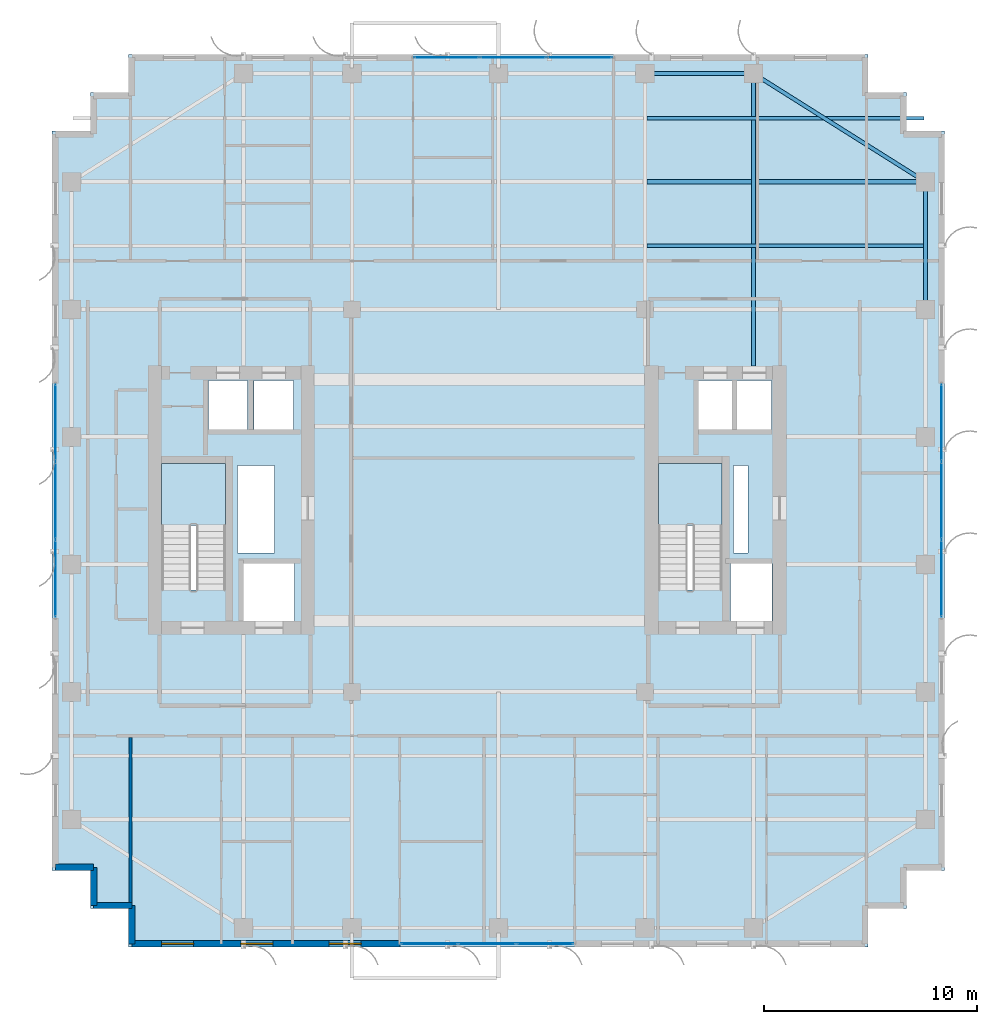
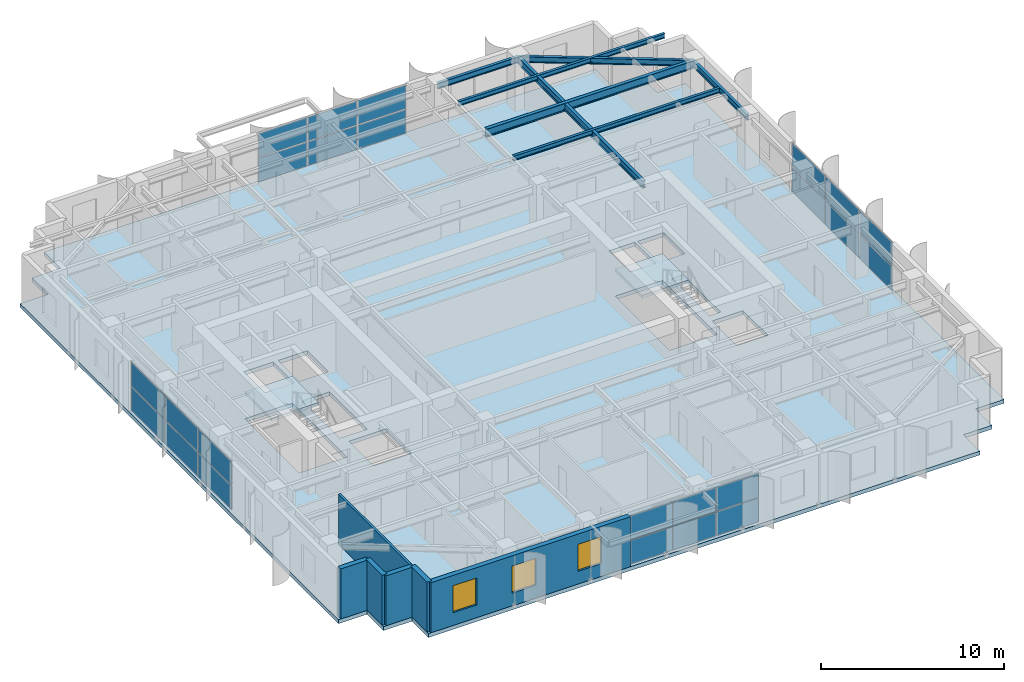
# One storey, part 13 of 21: 24 plates, 7 beams, 6 walls, 3 slabs, 3 windows, 3 openings, 6 elements without a shape of their own.
"""IFC4 building model written with IfcOpenShell, lengths in metres."""

import ifcopenshell
import ifcopenshell.guid

model = None  # the IFC model being written
_history = None  # IfcOwnerHistory: only IFC2X3 demands one
_inside = {}  # id of a spatial element -> (the spatial element, [elements in it])
_under = {}  # id of a project, library or spatial element -> (it, [spatial elements below it])
_declared = {}  # id of a project -> (the project, [libraries it declares])
_typed = {}  # id of a type object -> (the type object, [elements of that type])
_made_of = {}  # id of a material, layer set ... -> (it, [elements and type objects made of it])


def new_model(schema):
    """Start an empty IFC model of exactly this schema.

    Asked for "IFC4X3", IfcOpenShell would pick the latest addendum, in which some entities
    have other attributes; the version numbers below select the first issue.
    IFC2X3 requires an IfcOwnerHistory on every rooted entity: one is made here for all.
    """
    global model, _history
    if schema == "IFC4X3":
        model = ifcopenshell.file(schema_version=(4, 3, 0, 0))
    else:
        model = ifcopenshell.file(schema=schema)
    _inside.clear()
    _under.clear()
    _declared.clear()
    _typed.clear()
    _made_of.clear()
    _history = None
    if model.schema == "IFC2X3":
        org = make("IfcOrganization", Name="unknown")
        user = make(
            "IfcPersonAndOrganization",
            ThePerson=make("IfcPerson", FamilyName="unknown"),
            TheOrganization=org,
        )
        app = make(
            "IfcApplication",
            ApplicationDeveloper=org,
            Version="unknown",
            ApplicationFullName="unknown",
            ApplicationIdentifier="unknown",
        )
        _history = make(
            "IfcOwnerHistory",
            OwningUser=user,
            OwningApplication=app,
            ChangeAction="ADDED",
            CreationDate=0,
        )
    return model


def make(cls, **values):
    """One entity of the class cls with the attributes given. An attribute that is None is left unset."""
    return model.create_entity(
        cls, **{name: value for name, value in values.items() if value is not None}
    )


def rooted(cls, **values):
    """An entity with a GlobalId (a new one), such as an element, a storey or a relation."""
    return make(cls, GlobalId=ifcopenshell.guid.new(), OwnerHistory=_history, **values)


def si_unit(unit_type, name, prefix=None):
    """IfcSIUnit, for example si_unit("LENGTHUNIT", "METRE", prefix="MILLI")."""
    return make("IfcSIUnit", UnitType=unit_type, Prefix=prefix, Name=name)


def assignment(units):
    """IfcUnitAssignment: the units of a project."""
    return None if units is None else make("IfcUnitAssignment", Units=units)


def point(xyz):
    """IfcCartesianPoint."""
    return None if xyz is None else make("IfcCartesianPoint", Coordinates=xyz)


def direction(xyz):
    """IfcDirection."""
    return None if xyz is None else make("IfcDirection", DirectionRatios=xyz)


def frame(location, z_axis=None, x_axis=None):
    """IfcAxis2Placement3D, a coordinate frame: its origin and axes. An axis left out is left unset."""
    return make(
        "IfcAxis2Placement3D",
        Location=point(location),
        Axis=direction(z_axis),
        RefDirection=direction(x_axis),
    )


def frame_2d(location, x_axis=None):
    """IfcAxis2Placement2D, a coordinate frame in the plane: its origin and x axis."""
    return make(
        "IfcAxis2Placement2D", Location=point(location), RefDirection=direction(x_axis)
    )


def origin():
    """The frame at (0, 0, 0) with its axes left unset."""
    return frame((0.0, 0.0, 0.0))


def origin_2d():
    """The frame at (0, 0) in the plane with its x axis left unset."""
    return frame_2d((0.0, 0.0))


def place(relative_to, where):
    """IfcLocalPlacement: puts the frame where relative to a parent placement (None: the world)."""
    return make(
        "IfcLocalPlacement", PlacementRelTo=relative_to, RelativePlacement=where
    )


def context(
    kind, dimensions, precision=None, world=None, true_north=None, identifier=None
):
    """IfcGeometricRepresentationContext, for example the 3D "Model" context."""
    return make(
        "IfcGeometricRepresentationContext",
        ContextIdentifier=identifier,
        ContextType=kind,
        CoordinateSpaceDimension=dimensions,
        Precision=precision,
        WorldCoordinateSystem=world,
        TrueNorth=true_north,
    )


def subcontext(parent, identifier, kind, view, scale=None):
    """IfcGeometricRepresentationSubContext, for example "Body" below "Model"."""
    return make(
        "IfcGeometricRepresentationSubContext",
        ContextIdentifier=identifier,
        ContextType=kind,
        ParentContext=parent,
        TargetScale=scale,
        TargetView=view,
    )


def project(units=None, contexts=None):
    """IfcProject with its units and contexts."""
    return rooted(
        "IfcProject",
        Name="project",
        RepresentationContexts=contexts,
        UnitsInContext=assignment(units),
    )


def spatial(cls, under=None, at=None, **own):
    """A site, building, storey or space (cls), placed at a placement, below another one or the project."""
    s = rooted(cls, ObjectPlacement=at, **own)
    if under is not None:
        _under.setdefault(under.id(), (under, []))[1].append(s)
    return s


def polyline(points):
    """IfcPolyline through the points."""
    return make("IfcPolyline", Points=[point(p) for p in points])


def profile(cls, at=None, kind="AREA", **sizes):
    """A parametric profile (cls). Its sizes go by their IFC names, for example OverallWidth=200.0."""
    return make(cls, ProfileType=kind, Position=at, **sizes)


def rectangle(**sizes):
    """IfcRectangleProfileDef."""
    return profile("IfcRectangleProfileDef", **sizes)


def i_section(**sizes):
    """IfcIShapeProfileDef."""
    return profile("IfcIShapeProfileDef", **sizes)


def outline(outer, holes=None, kind="AREA"):
    """IfcArbitraryClosedProfileDef: a profile drawn as a closed curve; with holes, ...WithVoids."""
    if holes is None:
        return make("IfcArbitraryClosedProfileDef", ProfileType=kind, OuterCurve=outer)
    return make(
        "IfcArbitraryProfileDefWithVoids",
        ProfileType=kind,
        OuterCurve=outer,
        InnerCurves=holes,
    )


def extrude(swept, where, along, depth):
    """IfcExtrudedAreaSolid: the profile swept, set in the frame where, extruded along a direction by depth."""
    return make(
        "IfcExtrudedAreaSolid",
        SweptArea=swept,
        Position=where,
        ExtrudedDirection=direction(along),
        Depth=depth,
    )


def shape(context_of_items, identifier, shape_type, items):
    """IfcShapeRepresentation: the items that make up one representation, for example the "Body"."""
    return make(
        "IfcShapeRepresentation",
        ContextOfItems=context_of_items,
        RepresentationIdentifier=identifier,
        RepresentationType=shape_type,
        Items=items,
    )


def source(mapping_origin, context_of_items, identifier, shape_type, items):
    """IfcRepresentationMap: a shape defined once, which mapped items show again and again."""
    return make(
        "IfcRepresentationMap",
        MappingOrigin=mapping_origin,
        MappedRepresentation=shape(context_of_items, identifier, shape_type, items),
    )


def transform(
    local_origin,
    x_axis=None,
    y_axis=None,
    z_axis=None,
    scale=None,
    scale2=None,
    scale3=None,
    uniform=True,
):
    """IfcCartesianTransformationOperator3D, or its non-uniform kind. x_axis, y_axis, z_axis: its Axis1, 2, 3."""
    if uniform:
        return make(
            "IfcCartesianTransformationOperator3D",
            Axis1=direction(x_axis),
            Axis2=direction(y_axis),
            LocalOrigin=point(local_origin),
            Scale=scale,
            Axis3=direction(z_axis),
        )
    return make(
        "IfcCartesianTransformationOperator3DnonUniform",
        Axis1=direction(x_axis),
        Axis2=direction(y_axis),
        LocalOrigin=point(local_origin),
        Scale=scale,
        Axis3=direction(z_axis),
        Scale2=scale2,
        Scale3=scale3,
    )


def mapped(mapping_source, mapping_target):
    """IfcMappedItem: shows the shape of a source again, moved by a transform."""
    return make(
        "IfcMappedItem", MappingSource=mapping_source, MappingTarget=mapping_target
    )


def material(Name=None, Category=None):
    """IfcMaterial."""
    return make("IfcMaterial", Name=Name, Category=Category)


def layer(
    of_material, thickness, ventilated=None, Name=None, Category=None, Priority=None
):
    """IfcMaterialLayer: one layer of a wall or slab, of a material (None: an air gap)."""
    return make(
        "IfcMaterialLayer",
        Material=of_material,
        LayerThickness=thickness,
        IsVentilated=ventilated,
        Name=Name,
        Category=Category,
        Priority=Priority,
    )


def layer_set(layers, Name=None):
    """IfcMaterialLayerSet."""
    return make("IfcMaterialLayerSet", MaterialLayers=layers, LayerSetName=Name)


def material_profile(
    of_material, cross_section, Name=None, Category=None, Priority=None
):
    """IfcMaterialProfile: a cross section and its material."""
    return make(
        "IfcMaterialProfile",
        Name=Name,
        Material=of_material,
        Profile=cross_section,
        Priority=Priority,
        Category=Category,
    )


def profile_set(profiles, Name=None, composite=None):
    """IfcMaterialProfileSet."""
    return make(
        "IfcMaterialProfileSet",
        Name=Name,
        MaterialProfiles=profiles,
        CompositeProfile=composite,
    )


def made_of(thing, what):
    """Note that an element or type object is made of a material, layer set ...; save() writes the relation."""
    if what is not None:
        _made_of.setdefault(what.id(), (what, []))[1].append(thing)
    return thing


def type_object(cls, material=None, **own):
    """A type object (cls), such as IfcWallType, which elements share."""
    return made_of(rooted(cls, **own), material)


def element(
    cls,
    number,
    at=None,
    inside=None,
    cuts=None,
    type_object=None,
    material=None,
    context=None,
    identifier="Body",
    shape_type=None,
    held_by="IfcProductDefinitionShape",
    body=None,
    shapes=None,
    **own,
):
    """One element of the class cls, such as IfcWall. Its Tag is "e" and its number.

    at: its placement. inside: the storey or other place that contains it. cuts: it is an
    opening in that element (IfcRelVoidsElement). A single representation is given by context,
    identifier, shape_type and body (its items); several are given by shapes. held_by: the class
    of the entity that holds the representations. save() writes the other relations.
    """
    e = rooted(cls, Tag="e%d" % number, ObjectPlacement=at, **own)
    if body is not None:
        shapes = [shape(context, identifier, shape_type, body)]
    if shapes is not None:
        e.Representation = make(held_by, Representations=shapes)
    if inside is not None:
        _inside.setdefault(inside.id(), (inside, []))[1].append(e)
    if cuts is not None:
        rooted(
            "IfcRelVoidsElement", RelatingBuildingElement=cuts, RelatedOpeningElement=e
        )
    if type_object is not None:
        _typed.setdefault(type_object.id(), (type_object, []))[1].append(e)
    return made_of(e, material)


def fill(opening, filler):
    """IfcRelFillsElement: the door or window that sits in an opening."""
    return rooted(
        "IfcRelFillsElement",
        RelatingOpeningElement=opening,
        RelatedBuildingElement=filler,
    )


def aggregate(whole, parts):
    """IfcRelAggregates: a whole, such as a stair, and the parts it consists of."""
    return rooted("IfcRelAggregates", RelatingObject=whole, RelatedObjects=parts)


def save(model, path):
    """Write the relations noted so far, then the file.

    IfcRelAggregates (storeys below a building ...), IfcRelContainedInSpatialStructure (elements
    in a storey), IfcRelDefinesByType, IfcRelAssociatesMaterial and IfcRelDeclares: one each for
    every whole, place, type object, material and project.
    """
    for whole, parts in _under.values():
        aggregate(whole, parts)
    for where, things in _inside.values():
        rooted(
            "IfcRelContainedInSpatialStructure",
            RelatedElements=things,
            RelatingStructure=where,
        )
    for kind, things in _typed.values():
        rooted("IfcRelDefinesByType", RelatedObjects=things, RelatingType=kind)
    for what, things in _made_of.values():
        rooted("IfcRelAssociatesMaterial", RelatedObjects=things, RelatingMaterial=what)
    for by, libraries in _declared.values():
        rooted("IfcRelDeclares", RelatingContext=by, RelatedDefinitions=libraries)
    model.write(path)


model = new_model("IFC4")

# Units and contexts
model_context = context("Model", 3, precision=1e-05, world=origin(), true_north=direction((0.0, 1.0)))
body_context = subcontext(model_context, "Body", "Model", "MODEL_VIEW")
ifc_project = project(units=[si_unit("LENGTHUNIT", "METRE"), si_unit("AREAUNIT", "SQUARE_METRE"), si_unit("VOLUMEUNIT", "CUBIC_METRE"), si_unit("PLANEANGLEUNIT", "RADIAN"), si_unit("MASSUNIT", "GRAM", prefix="KILO")], contexts=[model_context])

# Site, building, storey
site_placement = place(None, origin())
site = spatial("IfcSite", under=ifc_project, at=site_placement, CompositionType="ELEMENT")
building_placement = place(site_placement, origin())
building = spatial("IfcBuilding", under=site, at=building_placement, Name="Khoralis Quay Care Tower", CompositionType="ELEMENT")
storey_placement = place(building_placement, frame((0.0, 0.0, 159.300048828125)))
storey = spatial("IfcBuildingStorey", under=building, at=storey_placement, Name="L41", CompositionType="ELEMENT", Elevation=159.300048828125)

# Beams
ifc_material_1 = material(Name="Steel S355", Category="steel")
ifc_material_profile_1 = material_profile(ifc_material_1, i_section(OverallWidth=0.179931640625, OverallDepth=0.39990234375, WebThickness=0.008544921875, FlangeThickness=0.013427734375, FilletRadius=0.02099609375, at=origin_2d()), Name="Steel S355")
ifc_profile_set_1 = profile_set([ifc_material_profile_1], Name="Steel S355")
beam_type_1 = type_object("IfcBeamType", Name="BM-IPE400", PredefinedType="SPANDREL", material=ifc_profile_set_1)
shared_shape_1 = source(origin(), body_context, "Body", "SweptSolid", [
    extrude(i_section(OverallWidth=0.179931640625, OverallDepth=0.39990234375, WebThickness=0.008544921875, FlangeThickness=0.013427734375, FilletRadius=0.02099609375, at=origin_2d()), origin(), (0.0, 0.0, 1.0), 6.0),
])
beam_1_placement = place(storey_placement, frame((44.10009765625, 30.0, 3.139892578125), z_axis=(0.0, 1.0, 0.0), x_axis=(-1.0, 0.0, 0.0)))
element("IfcBeam", 1, at=beam_1_placement, inside=storey, type_object=beam_type_1, Name="BM-TSP-L41-18", PredefinedType="SPANDREL", context=body_context, shape_type="MappedRepresentation", body=[
    mapped(shared_shape_1, transform((0.0, 0.0, 0.0), scale=1.0)),
])
shared_shape_2 = source(origin(), body_context, "Body", "SweptSolid", [
    extrude(i_section(OverallWidth=0.179931640625, OverallDepth=0.39990234375, WebThickness=0.008544921875, FlangeThickness=0.013427734375, FilletRadius=0.02099609375, at=origin_2d()), origin(), (0.0, 0.0, 1.0), 5.10009765625),
])
beam_2_placement = place(storey_placement, frame((30.89990234375, 41.10009765625, 3.139892578125), z_axis=(1.0, 0.0, 0.0), x_axis=(0.0, 1.0, 0.0)))
element("IfcBeam", 2, at=beam_2_placement, inside=storey, type_object=beam_type_1, Name="BM-TSP-L41-08", PredefinedType="SPANDREL", context=body_context, shape_type="MappedRepresentation", body=[
    mapped(shared_shape_2, transform((0.0, 0.0, 0.0), scale=1.0)),
])
shared_shape_3 = source(origin(), body_context, "Body", "SweptSolid", [
    extrude(i_section(OverallWidth=0.179931640625, OverallDepth=0.39990234375, WebThickness=0.008544921875, FlangeThickness=0.013427734375, FilletRadius=0.02099609375, at=origin_2d()), origin(), (0.0, 0.0, 1.0), 9.572021484375),
])
beam_3_placement = place(storey_placement, frame((36.0, 41.10009765625, 3.139892578125), z_axis=(0.846231136359, -0.532815975602, 0.0), x_axis=(0.532815975602, 0.846231136359, 0.0)))
element("IfcBeam", 3, at=beam_3_placement, inside=storey, type_object=beam_type_1, Name="BM-TCR-L41-22", PredefinedType="SPANDREL", context=body_context, shape_type="MappedRepresentation", body=[
    mapped(shared_shape_3, transform((0.0, 0.0, 0.0), scale=1.0)),
])
ifc_material_profile_2 = material_profile(ifc_material_1, i_section(OverallWidth=0.208984375, OverallDepth=0.532958984375, WebThickness=0.01025390625, FlangeThickness=0.015625, FilletRadius=0.01611328125, at=origin_2d()), Name="Steel S355")
ifc_profile_set_2 = profile_set([ifc_material_profile_2], Name="Steel S355")
beam_type_2 = type_object("IfcBeamType", Name="BM-W530X92", PredefinedType="BEAM", material=ifc_profile_set_2)
shared_shape_4 = source(origin(), body_context, "Body", "SweptSolid", [
    extrude(i_section(OverallWidth=0.208984375, OverallDepth=0.532958984375, WebThickness=0.01025390625, FlangeThickness=0.015625, FilletRadius=0.01611328125, at=origin_2d()), origin(), (0.0, 0.0, 1.0), 13.1162109375),
])
beam_4_placement = place(storey_placement, frame((30.98388671875, 36.0, 3.073486328125), z_axis=(1.0, 0.0, 0.0), x_axis=(0.0, 1.0, 0.0)))
element("IfcBeam", 4, at=beam_4_placement, inside=storey, type_object=beam_type_2, Name="BM-TGXE-L41-360", PredefinedType="BEAM", context=body_context, shape_type="MappedRepresentation", body=[
    mapped(shared_shape_4, transform((0.0, 0.0, 0.0), scale=1.0)),
])
ifc_material_profile_3 = material_profile(ifc_material_1, i_section(OverallWidth=0.19189453125, OverallDepth=0.462890625, WebThickness=0.010498046875, FlangeThickness=0.017578125, FilletRadius=0.014892578125, at=origin_2d()), Name="Steel S355")
ifc_profile_set_3 = profile_set([ifc_material_profile_3], Name="Steel S355")
beam_type_3 = type_object("IfcBeamType", Name="BM-W460X89", PredefinedType="BEAM", material=ifc_profile_set_3)
shared_shape_5 = source(origin(), body_context, "Body", "SweptSolid", [
    extrude(i_section(OverallWidth=0.19189453125, OverallDepth=0.462890625, WebThickness=0.010498046875, FlangeThickness=0.017578125, FilletRadius=0.014892578125, at=origin_2d()), origin(), (0.0, 0.0, 1.0), 13.752197265625),
])
beam_5_placement = place(storey_placement, frame((36.0, 27.347900390625, 3.1083984375), z_axis=(0.0, 1.0, 0.0), x_axis=(-1.0, 0.0, 0.0)))
element("IfcBeam", 5, at=beam_5_placement, inside=storey, type_object=beam_type_3, Name="BM-TGYN-L41-360", PredefinedType="BEAM", context=body_context, shape_type="MappedRepresentation", body=[
    mapped(shared_shape_5, transform((0.0, 0.0, 0.0), scale=1.0)),
])
ifc_material_profile_4 = material_profile(ifc_material_1, i_section(OverallWidth=0.1650390625, OverallDepth=0.31005859375, WebThickness=0.005859375, FlangeThickness=0.009765625, FilletRadius=0.011962890625, at=origin_2d()), Name="Steel S355")
ifc_profile_set_4 = profile_set([ifc_material_profile_4], Name="Steel S355")
beam_type_4 = type_object("IfcBeamType", Name="BM-W310X39", PredefinedType="JOIST", material=ifc_profile_set_4)
shared_shape_6 = source(origin(), body_context, "Body", "SweptSolid", [
    extrude(i_section(OverallWidth=0.1650390625, OverallDepth=0.31005859375, WebThickness=0.005859375, FlangeThickness=0.009765625, FilletRadius=0.011962890625, at=origin_2d()), origin(), (0.0, 0.0, 1.0), 13.0400390625),
])
for number, where, z_axis, x_axis, name in (
    (6, (30.98388671875, 33.0, 3.18505859375), (1.0, 0.0, 0.0), (0.0, 1.0, 0.0), "BM-TJS-L41-27"),
    (7, (30.98388671875, 39.0, 3.18505859375), (1.0, 0.0, 0.0), (0.0, 1.0, 0.0), "BM-TJS-L41-30"),
):
    element("IfcBeam", number, at=place(storey_placement, frame(where, z_axis=z_axis, x_axis=x_axis)), inside=storey, type_object=beam_type_4, Name=name, PredefinedType="JOIST", context=body_context, shape_type="MappedRepresentation", body=[
        mapped(shared_shape_6, transform((0.0, 0.0, 0.0), scale=1.0)),
    ])

# Stair, slab
ifc_material_2 = material(Name="Precast concrete C45/55", Category="concrete")
stair_type = type_object("IfcStairType", Name="ST-TWR-DOGLEG-1400", PredefinedType="HALF_TURN_STAIR", material=ifc_material_2)
stair_1_placement = place(storey_placement, origin())
stair_1 = element("IfcStair", 8, at=stair_1_placement, inside=storey, type_object=stair_type, Name="L41 West Core Exit Stair ST-T1", PredefinedType="HALF_TURN_STAIR")
ifc_layer_1 = layer(ifc_material_2, 0.199951171875)
ifc_layer_set_1 = layer_set([ifc_layer_1], Name="Precast concrete C45/55")
slab_type_1 = type_object("IfcSlabType", Name="SLB-LANDING-200", PredefinedType="LANDING", material=ifc_layer_set_1)
slab_1_placement = place(storey_placement, frame((0.0, 0.0, 1.599853515625)))
slab_1 = element("IfcSlab", 9, at=slab_1_placement, type_object=slab_type_1, Name="ST-T1 landing 1", PredefinedType="LANDING", context=body_context, shape_type="SweptSolid", body=[
    extrude(outline(polyline([(11.14990234375, 19.840087890625), (11.14990234375, 22.75), (8.14990234375, 22.75), (8.14990234375, 19.840087890625), (11.14990234375, 19.840087890625)])), origin(), (0.0, 0.0, 1.0), 0.2001953125),
])
aggregate(stair_1, [slab_1])

stair_2_placement = place(storey_placement, origin())
stair_2 = element("IfcStair", 10, at=stair_2_placement, inside=storey, type_object=stair_type, Name="L41 East Core Exit Stair ST-T2", PredefinedType="HALF_TURN_STAIR")
slab_2_placement = place(storey_placement, frame((0.0, 0.0, 1.599853515625)))
slab_2 = element("IfcSlab", 11, at=slab_2_placement, type_object=slab_type_1, Name="ST-T2 landing 1", PredefinedType="LANDING", context=body_context, shape_type="SweptSolid", body=[
    extrude(outline(polyline([(34.52001953125, 19.840087890625), (34.52001953125, 22.75), (31.52001953125, 22.75), (31.52001953125, 19.840087890625), (34.52001953125, 19.840087890625)])), origin(), (0.0, 0.0, 1.0), 0.2001953125),
])
aggregate(stair_2, [slab_2])

# Slab
ifc_material_3 = material(Name="Concrete C40/50", Category="concrete")
ifc_layer_2 = layer(ifc_material_3, 0.260009765625)
ifc_layer_set_2 = layer_set([ifc_layer_2], Name="Concrete C40/50")
slab_type_2 = type_object("IfcSlabType", Name="SLB-TWR-260", PredefinedType="FLOOR", material=ifc_layer_set_2)
slab_3_placement = place(storey_placement, frame((0.0, 0.0, -0.260009765625)))
element("IfcSlab", 12, at=slab_3_placement, inside=storey, type_object=slab_type_2, Name="Tower Floor Slab L41", PredefinedType="FLOOR", context=body_context, shape_type="SweptSolid", body=[
    extrude(outline(polyline([(6.60009765625, 0.0), (41.39990234375, 0.0), (41.39990234375, 1.800048828125), (43.199951171875, 1.800048828125), (43.199951171875, 3.60009765625), (45.0, 3.60009765625), (45.0, 38.39990234375), (43.199951171875, 38.39990234375), (43.199951171875, 40.199951171875), (41.39990234375, 40.199951171875), (41.39990234375, 42.0), (6.60009765625, 42.0), (6.60009765625, 40.199951171875), (4.800048828125, 40.199951171875), (4.800048828125, 38.39990234375), (3.0, 38.39990234375), (3.0, 3.60009765625), (4.800048828125, 3.60009765625), (4.800048828125, 1.800048828125), (6.60009765625, 1.800048828125), (6.60009765625, 0.0)]), holes=[polyline([(11.14990234375, 16.800048828125), (11.14990234375, 22.75), (8.14990234375, 22.75), (8.14990234375, 16.800048828125), (11.14990234375, 16.800048828125)]), polyline([(34.52001953125, 16.800048828125), (34.52001953125, 22.75), (31.52001953125, 22.75), (31.52001953125, 16.800048828125), (34.52001953125, 16.800048828125)]), polyline([(12.0, 15.35009765625), (14.39990234375, 15.35009765625), (14.39990234375, 18.050048828125), (12.0, 18.050048828125), (12.0, 15.35009765625)]), polyline([(34.919921875, 15.35009765625), (36.8798828125, 15.35009765625), (36.8798828125, 18.050048828125), (34.919921875, 18.050048828125), (34.919921875, 15.35009765625)]), polyline([(10.35009765625, 24.35009765625), (12.199951171875, 24.35009765625), (12.199951171875, 26.64990234375), (10.35009765625, 26.64990234375), (10.35009765625, 24.35009765625)]), polyline([(33.3798828125, 24.35009765625), (35.030029296875, 24.35009765625), (35.030029296875, 26.64990234375), (33.3798828125, 26.64990234375), (33.3798828125, 24.35009765625)]), polyline([(12.5, 24.35009765625), (14.35009765625, 24.35009765625), (14.35009765625, 26.64990234375), (12.5, 26.64990234375), (12.5, 24.35009765625)]), polyline([(35.199951171875, 24.35009765625), (36.85009765625, 24.35009765625), (36.85009765625, 26.64990234375), (35.199951171875, 26.64990234375), (35.199951171875, 24.35009765625)]), polyline([(11.719970703125, 18.550048828125), (13.449951171875, 18.550048828125), (13.449951171875, 22.64990234375), (11.719970703125, 22.64990234375), (11.719970703125, 18.550048828125)]), polyline([(35.050048828125, 18.550048828125), (35.75, 18.550048828125), (35.75, 22.64990234375), (35.050048828125, 22.64990234375), (35.050048828125, 18.550048828125)])]), origin(), (0.0, 0.0, 1.0), 0.260009765625),
])

# Curtain wall, plates
ifc_material_4 = material(Name="Pale anodised aluminium", Category="aluminium")
ifc_layer_3 = layer(ifc_material_4, 0.159912109375)
ifc_layer_set_3 = layer_set([ifc_layer_3], Name="Pale anodised aluminium")
curtain_wall_type = type_object("IfcCurtainWallType", Name="CW-SYS-Z3", PredefinedType="NOTDEFINED", material=ifc_layer_set_3)
curtain_wall_1_placement = place(storey_placement, origin())
curtain_wall_1 = element("IfcCurtainWall", 13, at=curtain_wall_1_placement, inside=storey, type_object=curtain_wall_type, Name="L41 Unitised Curtain Wall CW-L41-P1-E5", PredefinedType="NOTDEFINED")
ifc_material_5 = material(Name="Low-E solar-control double glazing", Category="glass")
ifc_layer_4 = layer(ifc_material_5, 0.031982421875)
ifc_layer_set_4 = layer_set([ifc_layer_4], Name="Low-E solar-control double glazing")
plate_type = type_object("IfcPlateType", Name="PNL-VIS-32", PredefinedType="CURTAIN_PANEL", material=ifc_layer_set_4)
shared_shape_7 = source(origin(), body_context, "Body", "SweptSolid", [
    extrude(rectangle(XDim=3.590087890625, YDim=0.028076171875, at=origin_2d()), origin(), (0.0, 0.0, 1.0), 1.580078125),
])
plate_1_placement = place(storey_placement, frame((44.85009765625, 17.3349609375, 0.059814453125), z_axis=(0.0, 0.0, 1.0), x_axis=(0.0, 1.0, 0.0)))
plate_1 = element("IfcPlate", 14, at=plate_1_placement, type_object=plate_type, Name="CW3 panel 1.1", PredefinedType="CURTAIN_PANEL", context=body_context, shape_type="MappedRepresentation", body=[
    mapped(shared_shape_7, transform((0.0, 0.0, 0.0), scale=1.0)),
])
plate_2_placement = place(storey_placement, frame((44.85009765625, 17.3349609375, 1.699951171875), z_axis=(0.0, 0.0, 1.0), x_axis=(0.0, 1.0, 0.0)))
plate_2 = element("IfcPlate", 15, at=plate_2_placement, type_object=plate_type, Name="CW3 panel 1.2", PredefinedType="CURTAIN_PANEL", context=body_context, shape_type="MappedRepresentation", body=[
    mapped(shared_shape_7, transform((0.0, 0.0, 0.0), scale=1.0)),
])
plate_3_placement = place(storey_placement, frame((44.85009765625, 24.6650390625, 0.059814453125), z_axis=(0.0, 0.0, 1.0), x_axis=(0.0, 1.0, 0.0)))
plate_3 = element("IfcPlate", 16, at=plate_3_placement, type_object=plate_type, Name="CW3 panel 3.1", PredefinedType="CURTAIN_PANEL", context=body_context, shape_type="MappedRepresentation", body=[
    mapped(shared_shape_7, transform((0.0, 0.0, 0.0), scale=1.0)),
])
plate_4_placement = place(storey_placement, frame((44.85009765625, 24.6650390625, 1.699951171875), z_axis=(0.0, 0.0, 1.0), x_axis=(0.0, 1.0, 0.0)))
plate_4 = element("IfcPlate", 17, at=plate_4_placement, type_object=plate_type, Name="CW3 panel 3.2", PredefinedType="CURTAIN_PANEL", context=body_context, shape_type="MappedRepresentation", body=[
    mapped(shared_shape_7, transform((0.0, 0.0, 0.0), scale=1.0)),
])

curtain_wall_2_placement = place(storey_placement, origin())
curtain_wall_2 = element("IfcCurtainWall", 18, at=curtain_wall_2_placement, inside=storey, type_object=curtain_wall_type, Name="L41 Unitised Curtain Wall CW-L41-P1-E15", PredefinedType="NOTDEFINED")
plate_5_placement = place(storey_placement, frame((3.14990234375, 24.6650390625, 0.059814453125), z_axis=(0.0, 0.0, 1.0), x_axis=(0.0, -1.0, 0.0)))
plate_5 = element("IfcPlate", 19, at=plate_5_placement, type_object=plate_type, Name="CW3 panel 1.1", PredefinedType="CURTAIN_PANEL", context=body_context, shape_type="MappedRepresentation", body=[
    mapped(shared_shape_7, transform((0.0, 0.0, 0.0), scale=1.0)),
])
plate_6_placement = place(storey_placement, frame((3.14990234375, 24.6650390625, 1.699951171875), z_axis=(0.0, 0.0, 1.0), x_axis=(0.0, -1.0, 0.0)))
plate_6 = element("IfcPlate", 20, at=plate_6_placement, type_object=plate_type, Name="CW3 panel 1.2", PredefinedType="CURTAIN_PANEL", context=body_context, shape_type="MappedRepresentation", body=[
    mapped(shared_shape_7, transform((0.0, 0.0, 0.0), scale=1.0)),
])
plate_7_placement = place(storey_placement, frame((3.14990234375, 17.3349609375, 0.059814453125), z_axis=(0.0, 0.0, 1.0), x_axis=(0.0, -1.0, 0.0)))
plate_7 = element("IfcPlate", 21, at=plate_7_placement, type_object=plate_type, Name="CW3 panel 3.1", PredefinedType="CURTAIN_PANEL", context=body_context, shape_type="MappedRepresentation", body=[
    mapped(shared_shape_7, transform((0.0, 0.0, 0.0), scale=1.0)),
])
plate_8_placement = place(storey_placement, frame((3.14990234375, 17.3349609375, 1.699951171875), z_axis=(0.0, 0.0, 1.0), x_axis=(0.0, -1.0, 0.0)))
plate_8 = element("IfcPlate", 22, at=plate_8_placement, type_object=plate_type, Name="CW3 panel 3.2", PredefinedType="CURTAIN_PANEL", context=body_context, shape_type="MappedRepresentation", body=[
    mapped(shared_shape_7, transform((0.0, 0.0, 0.0), scale=1.0)),
])

# Plate
shared_shape_8 = source(origin(), body_context, "Body", "SweptSolid", [
    extrude(rectangle(XDim=3.6201171875, YDim=0.028076171875, at=origin_2d()), origin(), (0.0, 0.0, 1.0), 1.580078125),
])
plate_9_placement = place(storey_placement, frame((44.85009765625, 21.0, 0.059814453125), z_axis=(0.0, 0.0, 1.0), x_axis=(0.0, 1.0, 0.0)))
plate_9 = element("IfcPlate", 23, at=plate_9_placement, type_object=plate_type, Name="CW3 panel 2.1", PredefinedType="CURTAIN_PANEL", context=body_context, shape_type="MappedRepresentation", body=[
    mapped(shared_shape_8, transform((0.0, 0.0, 0.0), scale=1.0)),
])

plate_10_placement = place(storey_placement, frame((44.85009765625, 21.0, 1.699951171875), z_axis=(0.0, 0.0, 1.0), x_axis=(0.0, 1.0, 0.0)))
plate_10 = element("IfcPlate", 24, at=plate_10_placement, type_object=plate_type, Name="CW3 panel 2.2", PredefinedType="CURTAIN_PANEL", context=body_context, shape_type="MappedRepresentation", body=[
    mapped(shared_shape_8, transform((0.0, 0.0, 0.0), scale=1.0)),
])

aggregate(curtain_wall_1, [plate_1, plate_2, plate_9, plate_10, plate_3, plate_4])

plate_11_placement = place(storey_placement, frame((3.14990234375, 21.0, 0.059814453125), z_axis=(0.0, 0.0, 1.0), x_axis=(0.0, -1.0, 0.0)))
plate_11 = element("IfcPlate", 25, at=plate_11_placement, type_object=plate_type, Name="CW3 panel 2.1", PredefinedType="CURTAIN_PANEL", context=body_context, shape_type="MappedRepresentation", body=[
    mapped(shared_shape_8, transform((0.0, 0.0, 0.0), scale=1.0)),
])

plate_12_placement = place(storey_placement, frame((3.14990234375, 21.0, 1.699951171875), z_axis=(0.0, 0.0, 1.0), x_axis=(0.0, -1.0, 0.0)))
plate_12 = element("IfcPlate", 26, at=plate_12_placement, type_object=plate_type, Name="CW3 panel 2.2", PredefinedType="CURTAIN_PANEL", context=body_context, shape_type="MappedRepresentation", body=[
    mapped(shared_shape_8, transform((0.0, 0.0, 0.0), scale=1.0)),
])

aggregate(curtain_wall_2, [plate_5, plate_6, plate_11, plate_12, plate_7, plate_8])

# Curtain wall, plates
curtain_wall_3_placement = place(storey_placement, origin())
curtain_wall_3 = element("IfcCurtainWall", 27, at=curtain_wall_3_placement, inside=storey, type_object=curtain_wall_type, Name="L41 Unitised Curtain Wall CW-L41-P1-E0", PredefinedType="NOTDEFINED")
shared_shape_9 = source(origin(), body_context, "Body", "SweptSolid", [
    extrude(rectangle(XDim=2.65087890625, YDim=0.028076171875, at=origin_2d()), origin(), (0.0, 0.0, 1.0), 1.580078125),
])
plate_13_placement = place(storey_placement, frame((20.741455078125, 0.14990234375, 0.059814453125), z_axis=(0.0, 0.0, 1.0), x_axis=(1.0, 0.0, 0.0)))
plate_13 = element("IfcPlate", 28, at=plate_13_placement, type_object=plate_type, Name="CW3 panel 1.1", PredefinedType="CURTAIN_PANEL", context=body_context, shape_type="MappedRepresentation", body=[
    mapped(shared_shape_9, transform((0.0, 0.0, 0.0), scale=1.0)),
])
plate_14_placement = place(storey_placement, frame((20.741455078125, 0.14990234375, 1.699951171875), z_axis=(0.0, 0.0, 1.0), x_axis=(1.0, 0.0, 0.0)))
plate_14 = element("IfcPlate", 29, at=plate_14_placement, type_object=plate_type, Name="CW3 panel 1.2", PredefinedType="CURTAIN_PANEL", context=body_context, shape_type="MappedRepresentation", body=[
    mapped(shared_shape_9, transform((0.0, 0.0, 0.0), scale=1.0)),
])
plate_15_placement = place(storey_placement, frame((26.193603515625, 0.14990234375, 0.059814453125), z_axis=(0.0, 0.0, 1.0), x_axis=(1.0, 0.0, 0.0)))
plate_15 = element("IfcPlate", 30, at=plate_15_placement, type_object=plate_type, Name="CW3 panel 3.1", PredefinedType="CURTAIN_PANEL", context=body_context, shape_type="MappedRepresentation", body=[
    mapped(shared_shape_9, transform((0.0, 0.0, 0.0), scale=1.0)),
])
plate_16_placement = place(storey_placement, frame((26.193603515625, 0.14990234375, 1.699951171875), z_axis=(0.0, 0.0, 1.0), x_axis=(1.0, 0.0, 0.0)))
plate_16 = element("IfcPlate", 31, at=plate_16_placement, type_object=plate_type, Name="CW3 panel 3.2", PredefinedType="CURTAIN_PANEL", context=body_context, shape_type="MappedRepresentation", body=[
    mapped(shared_shape_9, transform((0.0, 0.0, 0.0), scale=1.0)),
])
shared_shape_10 = source(origin(), body_context, "Body", "SweptSolid", [
    extrude(rectangle(XDim=2.680908203125, YDim=0.028076171875, at=origin_2d()), origin(), (0.0, 0.0, 1.0), 1.580078125),
])
plate_17_placement = place(storey_placement, frame((23.467529296875, 0.14990234375, 0.059814453125), z_axis=(0.0, 0.0, 1.0), x_axis=(1.0, 0.0, 0.0)))
plate_17 = element("IfcPlate", 32, at=plate_17_placement, type_object=plate_type, Name="CW3 panel 2.1", PredefinedType="CURTAIN_PANEL", context=body_context, shape_type="MappedRepresentation", body=[
    mapped(shared_shape_10, transform((0.0, 0.0, 0.0), scale=1.0)),
])
plate_18_placement = place(storey_placement, frame((23.467529296875, 0.14990234375, 1.699951171875), z_axis=(0.0, 0.0, 1.0), x_axis=(1.0, 0.0, 0.0)))
plate_18 = element("IfcPlate", 33, at=plate_18_placement, type_object=plate_type, Name="CW3 panel 2.2", PredefinedType="CURTAIN_PANEL", context=body_context, shape_type="MappedRepresentation", body=[
    mapped(shared_shape_10, transform((0.0, 0.0, 0.0), scale=1.0)),
])
aggregate(curtain_wall_3, [plate_13, plate_14, plate_17, plate_18, plate_15, plate_16])

curtain_wall_4_placement = place(storey_placement, origin())
curtain_wall_4 = element("IfcCurtainWall", 34, at=curtain_wall_4_placement, inside=storey, type_object=curtain_wall_type, Name="L41 Unitised Curtain Wall CW-L41-P1-E10", PredefinedType="NOTDEFINED")
shared_shape_11 = source(origin(), body_context, "Body", "SweptSolid", [
    extrude(rectangle(XDim=3.054443359375, YDim=0.028076171875, at=origin_2d()), origin(), (0.0, 0.0, 1.0), 1.580078125),
])
plate_19_placement = place(storey_placement, frame((27.82275390625, 41.85009765625, 0.059814453125), z_axis=(0.0, 0.0, 1.0), x_axis=(-1.0, 0.0, 0.0)))
plate_19 = element("IfcPlate", 35, at=plate_19_placement, type_object=plate_type, Name="CW3 panel 1.1", PredefinedType="CURTAIN_PANEL", context=body_context, shape_type="MappedRepresentation", body=[
    mapped(shared_shape_11, transform((0.0, 0.0, 0.0), scale=1.0)),
])
plate_20_placement = place(storey_placement, frame((27.82275390625, 41.85009765625, 1.699951171875), z_axis=(0.0, 0.0, 1.0), x_axis=(-1.0, 0.0, 0.0)))
plate_20 = element("IfcPlate", 36, at=plate_20_placement, type_object=plate_type, Name="CW3 panel 1.2", PredefinedType="CURTAIN_PANEL", context=body_context, shape_type="MappedRepresentation", body=[
    mapped(shared_shape_11, transform((0.0, 0.0, 0.0), scale=1.0)),
])
plate_21_placement = place(storey_placement, frame((21.564208984375, 41.85009765625, 0.059814453125), z_axis=(0.0, 0.0, 1.0), x_axis=(-1.0, 0.0, 0.0)))
plate_21 = element("IfcPlate", 37, at=plate_21_placement, type_object=plate_type, Name="CW3 panel 3.1", PredefinedType="CURTAIN_PANEL", context=body_context, shape_type="MappedRepresentation", body=[
    mapped(shared_shape_11, transform((0.0, 0.0, 0.0), scale=1.0)),
])
plate_22_placement = place(storey_placement, frame((21.564208984375, 41.85009765625, 1.699951171875), z_axis=(0.0, 0.0, 1.0), x_axis=(-1.0, 0.0, 0.0)))
plate_22 = element("IfcPlate", 38, at=plate_22_placement, type_object=plate_type, Name="CW3 panel 3.2", PredefinedType="CURTAIN_PANEL", context=body_context, shape_type="MappedRepresentation", body=[
    mapped(shared_shape_11, transform((0.0, 0.0, 0.0), scale=1.0)),
])
shared_shape_12 = source(origin(), body_context, "Body", "SweptSolid", [
    extrude(rectangle(XDim=3.084228515625, YDim=0.028076171875, at=origin_2d()), origin(), (0.0, 0.0, 1.0), 1.580078125),
])
plate_23_placement = place(storey_placement, frame((24.693603515625, 41.85009765625, 0.059814453125), z_axis=(0.0, 0.0, 1.0), x_axis=(-1.0, 0.0, 0.0)))
plate_23 = element("IfcPlate", 39, at=plate_23_placement, type_object=plate_type, Name="CW3 panel 2.1", PredefinedType="CURTAIN_PANEL", context=body_context, shape_type="MappedRepresentation", body=[
    mapped(shared_shape_12, transform((0.0, 0.0, 0.0), scale=1.0)),
])
plate_24_placement = place(storey_placement, frame((24.693603515625, 41.85009765625, 1.699951171875), z_axis=(0.0, 0.0, 1.0), x_axis=(-1.0, 0.0, 0.0)))
plate_24 = element("IfcPlate", 40, at=plate_24_placement, type_object=plate_type, Name="CW3 panel 2.2", PredefinedType="CURTAIN_PANEL", context=body_context, shape_type="MappedRepresentation", body=[
    mapped(shared_shape_12, transform((0.0, 0.0, 0.0), scale=1.0)),
])
aggregate(curtain_wall_4, [plate_19, plate_20, plate_23, plate_24, plate_21, plate_22])

# Wall, openings, windows
ifc_layer_5 = layer(ifc_material_2, 0.300048828125)
ifc_layer_set_5 = layer_set([ifc_layer_5], Name="Precast concrete C45/55")
wall_type_1 = type_object("IfcWallType", Name="WL-EXT-REF-300", PredefinedType="SOLIDWALL", material=ifc_layer_set_5)
wall_1_placement = place(storey_placement, frame((6.75, 0.14990234375, 0.0), z_axis=(0.0, 0.0, 1.0), x_axis=(1.0, 0.0, 0.0)))
wall_1 = element("IfcWall", 41, at=wall_1_placement, inside=storey, type_object=wall_type_1, Name="L41 External Facade Wall WL-EXT-L41-P1-E0A", PredefinedType="SOLIDWALL", context=body_context, shape_type="SweptSolid", body=[
    extrude(rectangle(XDim=12.60595703125, YDim=0.300048828125, at=frame_2d((6.302978515625, 0.0))), origin(), (0.0, 0.0, 1.0), 3.33984375),
])
opening_1_placement = place(wall_1_placement, frame((1.401611328125, 0.0, 0.85009765625)))
opening_1 = element("IfcOpeningElement", 42, at=opening_1_placement, cuts=wall_1, Name="Opening W3", PredefinedType="OPENING", context=body_context, shape_type="SweptSolid", body=[
    extrude(rectangle(XDim=1.5, YDim=1.800048828125, at=frame_2d((0.75, 0.89990234375))), frame((0.0, 0.16015625, 0.0), z_axis=(0.0, -1.0, 0.0), x_axis=(1.0, 0.0, 0.0)), (0.0, 0.0, 1.0), 0.320068359375),
])
opening_2_placement = place(wall_1_placement, frame((5.131591796875, 0.0, 0.85009765625)))
opening_2 = element("IfcOpeningElement", 43, at=opening_2_placement, cuts=wall_1, Name="Opening W3", PredefinedType="OPENING", context=body_context, shape_type="SweptSolid", body=[
    extrude(rectangle(XDim=1.5, YDim=1.800048828125, at=frame_2d((0.75, 0.89990234375))), frame((0.0, 0.16015625, 0.0), z_axis=(0.0, -1.0, 0.0), x_axis=(1.0, 0.0, 0.0)), (0.0, 0.0, 1.0), 0.320068359375),
])
opening_3_placement = place(wall_1_placement, frame((9.282958984375, 0.0, 0.85009765625)))
opening_3 = element("IfcOpeningElement", 44, at=opening_3_placement, cuts=wall_1, Name="Opening W3", PredefinedType="OPENING", context=body_context, shape_type="SweptSolid", body=[
    extrude(rectangle(XDim=1.5, YDim=1.800048828125, at=frame_2d((0.75, 0.89990234375))), frame((0.0, 0.16015625, 0.0), z_axis=(0.0, -1.0, 0.0), x_axis=(1.0, 0.0, 0.0)), (0.0, 0.0, 1.0), 0.320068359375),
])
window_type = type_object("IfcWindowType", Name="WN-CLIN-1500X1800", PartitioningType="SINGLE_PANEL", PredefinedType="WINDOW", material=ifc_material_5)
shared_shape_13 = source(origin(), body_context, "Body", "SweptSolid", [
    extrude(rectangle(XDim=1.5, YDim=1.800048828125, at=frame_2d((0.75, 0.89990234375))), frame((0.0, 0.030029296875, 0.0), z_axis=(0.0, -1.0, 0.0), x_axis=(1.0, 0.0, 0.0)), (0.0, 0.0, 1.0), 0.06005859375),
])
window_1_placement = place(opening_1_placement, origin())
window_1 = element("IfcWindow", 45, at=window_1_placement, inside=storey, type_object=window_type, Name="WN-L41-P1-E0A Facade Window 01", OverallHeight=1.800048828125, OverallWidth=1.5, PartitioningType="SINGLE_PANEL", PredefinedType="WINDOW", context=body_context, shape_type="MappedRepresentation", body=[
    mapped(shared_shape_13, transform((0.0, 0.0, 0.0), scale=1.0)),
])
fill(opening_1, window_1)
window_2_placement = place(opening_2_placement, origin())
window_2 = element("IfcWindow", 46, at=window_2_placement, inside=storey, type_object=window_type, Name="WN-L41-P1-E0A Facade Window 02", OverallHeight=1.800048828125, OverallWidth=1.5, PartitioningType="SINGLE_PANEL", PredefinedType="WINDOW", context=body_context, shape_type="MappedRepresentation", body=[
    mapped(shared_shape_13, transform((0.0, 0.0, 0.0), scale=1.0)),
])
fill(opening_2, window_2)
window_3_placement = place(opening_3_placement, origin())
window_3 = element("IfcWindow", 47, at=window_3_placement, inside=storey, type_object=window_type, Name="WN-L41-P1-E0A Facade Window 03", OverallHeight=1.800048828125, OverallWidth=1.5, PartitioningType="SINGLE_PANEL", PredefinedType="WINDOW", context=body_context, shape_type="MappedRepresentation", body=[
    mapped(shared_shape_13, transform((0.0, 0.0, 0.0), scale=1.0)),
])
fill(opening_3, window_3)

# Walls
for number, where, z_axis, x_axis, name in (
    (48, (3.14990234375, 3.75, 0.0), (0.0, 0.0, 1.0), (1.0, 0.0, 0.0), "L41 External Facade Wall WL-EXT-L41-P1-C16"),
    (49, (4.949951171875, 3.75, 0.0), (0.0, 0.0, 1.0), (0.0, -1.0, 0.0), "L41 External Facade Wall WL-EXT-L41-P1-C17"),
    (50, (4.949951171875, 1.949951171875, 0.0), (0.0, 0.0, 1.0), (1.0, 0.0, 0.0), "L41 External Facade Wall WL-EXT-L41-P1-C18"),
    (51, (6.75, 1.949951171875, 0.0), (0.0, 0.0, 1.0), (0.0, -1.0, 0.0), "L41 External Facade Wall WL-EXT-L41-P1-C19"),
):
    element("IfcWall", number, at=place(storey_placement, frame(where, z_axis=z_axis, x_axis=x_axis)), inside=storey, type_object=wall_type_1, Name=name, PredefinedType="SOLIDWALL", context=body_context, shape_type="SweptSolid", body=[
        extrude(rectangle(XDim=1.800048828125, YDim=0.300048828125, at=frame_2d((0.89990234375, 0.0))), origin(), (0.0, 0.0, 1.0), 3.33984375),
    ])
ifc_material_6 = material(Name="Gypsum plasterboard on acoustic metal stud")
ifc_layer_6 = layer(ifc_material_6, 0.139892578125)
ifc_layer_set_6 = layer_set([ifc_layer_6], Name="Gypsum plasterboard on acoustic metal stud")
wall_type_2 = type_object("IfcWallType", Name="WL-UNIT-140", PredefinedType="PARTITIONING", material=ifc_layer_set_6)
wall_2_placement = place(storey_placement, frame((6.679931640625, 1.945068359375, 0.0), z_axis=(0.0, 0.0, 1.0), x_axis=(0.0, 1.0, 0.0)))
element("IfcWall", 52, at=wall_2_placement, inside=storey, type_object=wall_type_2, Name="L41 SB Demising Wall 0", PredefinedType="PARTITIONING", context=body_context, shape_type="SweptSolid", body=[
    extrude(rectangle(XDim=7.91748046875, YDim=0.139892578125, at=frame_2d((3.958740234375, 0.0))), origin(), (0.0, 0.0, 1.0), 3.33984375),
])

save(model, "model.ifc")
